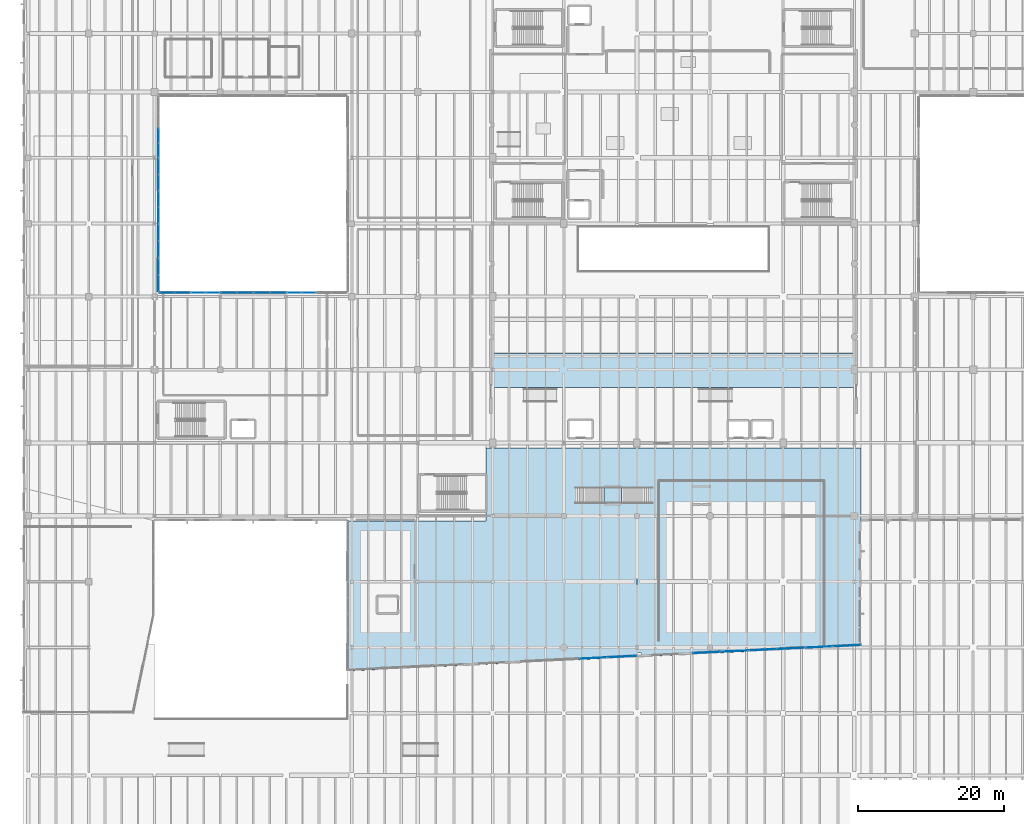
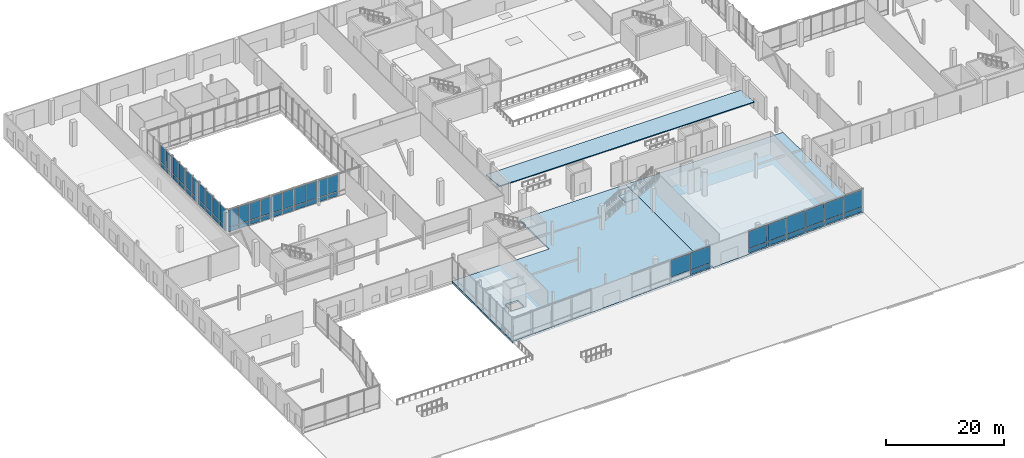
# One storey, part 61 of 88: 55 plates, 4 slabs, 19 elements without a shape of their own.
"""IFC4 building model written with IfcOpenShell, lengths in metres."""

from ifc_helpers import new_model, si_unit, direction, frame, origin, origin_2d, place, context, subcontext, project, spatial, polyline, rectangle, outline, extrude, material, layer, layer_set, type_object, element, aggregate, save


model = new_model("IFC4")

# Units and contexts
model_context = context("Model", 3, precision=1e-05, world=origin(), true_north=direction((0.0, 1.0)))
body_context = subcontext(model_context, "Body", "Model", "MODEL_VIEW")
ifc_project = project(units=[si_unit("LENGTHUNIT", "METRE"), si_unit("AREAUNIT", "SQUARE_METRE"), si_unit("VOLUMEUNIT", "CUBIC_METRE"), si_unit("PLANEANGLEUNIT", "RADIAN"), si_unit("MASSUNIT", "GRAM", prefix="KILO")], contexts=[model_context])

# Site, building, storey
site_placement = place(None, origin())
site = spatial("IfcSite", under=ifc_project, at=site_placement, CompositionType="ELEMENT")
building_placement = place(site_placement, origin())
building = spatial("IfcBuilding", under=site, at=building_placement, Name="Trimount Lyric Opera House", CompositionType="ELEMENT")
storey_placement = place(building_placement, origin())
storey = spatial("IfcBuildingStorey", under=building, at=storey_placement, Name="L00", CompositionType="ELEMENT", Elevation=0.0)

# Curtain wall, plate
ifc_material_1 = material(Name="Thermally Broken Aluminium and Low-E Glass", Category="aluminium")
curtain_wall_type_1 = type_object("IfcCurtainWallType", Name="CW-01", PredefinedType="NOTDEFINED", material=ifc_material_1)
curtain_wall_1_placement = place(storey_placement, origin())
curtain_wall_1 = element("IfcCurtainWall", 1, at=curtain_wall_1_placement, inside=storey, type_object=curtain_wall_type_1, Name="L00 curtain wall 014", PredefinedType="NOTDEFINED")
ifc_material_2 = material(Name="Triple Low-E Acoustic Laminated Glass", Category="glass")
ifc_layer_1 = layer(ifc_material_2, 0.035888671875)
ifc_layer_set_1 = layer_set([ifc_layer_1], Name="CWP-01")
plate_type_1 = type_object("IfcPlateType", Name="CWP-01", PredefinedType="CURTAIN_PANEL", material=ifc_layer_set_1)
plate_1_placement = place(storey_placement, frame((112.755615234375, 26.24658203125, 0.114990234375), z_axis=(0.0, 0.0, 1.0), x_axis=(-0.998813278351, -0.04870354186, 0.0)))
plate_1 = element("IfcPlate", 2, at=plate_1_placement, type_object=plate_type_1, Name="CW-01 panel 1.1", PredefinedType="CURTAIN_PANEL", context=body_context, shape_type="SweptSolid", body=[
    extrude(rectangle(XDim=3.719482421875, YDim=0.035888671875, at=origin_2d()), origin(), (0.0, 0.0, 1.0), 0.87744140625),
])

curtain_wall_2_placement = place(storey_placement, origin())
curtain_wall_2 = element("IfcCurtainWall", 3, at=curtain_wall_2_placement, inside=storey, type_object=curtain_wall_type_1, Name="L00 curtain wall 015", PredefinedType="NOTDEFINED")
plate_2_placement = place(storey_placement, frame((108.87548828125, 26.056884765625, 0.159912109375), z_axis=(0.0, 0.0, 1.0), x_axis=(-0.99882119848, -0.048540843291, 0.0)))
plate_2 = element("IfcPlate", 4, at=plate_2_placement, type_object=plate_type_1, Name="CW-01 panel 1.1", PredefinedType="CURTAIN_PANEL", context=body_context, shape_type="SweptSolid", body=[
    extrude(rectangle(XDim=3.609375, YDim=0.035888671875, at=origin_2d()), origin(), (0.0, 0.0, 1.0), 0.81005859375),
])

curtain_wall_3_placement = place(storey_placement, origin())
curtain_wall_3 = element("IfcCurtainWall", 5, at=curtain_wall_3_placement, inside=storey, type_object=curtain_wall_type_1, Name="L00 curtain wall 016", PredefinedType="NOTDEFINED")
plate_3_placement = place(storey_placement, frame((105.04052734375, 25.869384765625, 0.13525390625), z_axis=(0.0, 0.0, 1.0), x_axis=(-0.998808232241, -0.048806917619, 0.0)))
plate_3 = element("IfcPlate", 6, at=plate_3_placement, type_object=plate_type_1, Name="CW-01 panel 1.1", PredefinedType="CURTAIN_PANEL", context=body_context, shape_type="SweptSolid", body=[
    extrude(rectangle(XDim=3.619384765625, YDim=0.035888671875, at=origin_2d()), origin(), (0.0, 0.0, 1.0), 0.847412109375),
])

curtain_wall_4_placement = place(storey_placement, origin())
curtain_wall_4 = element("IfcCurtainWall", 7, at=curtain_wall_4_placement, inside=storey, type_object=curtain_wall_type_1, Name="L00 curtain wall 017", PredefinedType="NOTDEFINED")
plate_4_placement = place(storey_placement, frame((101.20556640625, 25.6826171875, 0.114990234375), z_axis=(0.0, 0.0, 1.0), x_axis=(-0.998808232241, -0.048806917619, 0.0)))
plate_4 = element("IfcPlate", 8, at=plate_4_placement, type_object=plate_type_1, Name="CW-01 panel 1.1", PredefinedType="CURTAIN_PANEL", context=body_context, shape_type="SweptSolid", body=[
    extrude(rectangle(XDim=3.62939453125, YDim=0.035888671875, at=origin_2d()), origin(), (0.0, 0.0, 1.0), 0.87744140625),
])

curtain_wall_5_placement = place(storey_placement, origin())
curtain_wall_5 = element("IfcCurtainWall", 9, at=curtain_wall_5_placement, inside=storey, type_object=curtain_wall_type_1, Name="L00 curtain wall 018", PredefinedType="NOTDEFINED")
plate_5_placement = place(storey_placement, frame((97.37060546875, 25.49560546875, 0.159912109375), z_axis=(0.0, 0.0, 1.0), x_axis=(-0.998808232241, -0.048806917619, 0.0)))
plate_5 = element("IfcPlate", 10, at=plate_5_placement, type_object=plate_type_1, Name="CW-01 panel 1.1", PredefinedType="CURTAIN_PANEL", context=body_context, shape_type="SweptSolid", body=[
    extrude(rectangle(XDim=3.609375, YDim=0.035888671875, at=origin_2d()), origin(), (0.0, 0.0, 1.0), 0.81005859375),
])

curtain_wall_6_placement = place(storey_placement, origin())
curtain_wall_6 = element("IfcCurtainWall", 11, at=curtain_wall_6_placement, inside=storey, type_object=curtain_wall_type_1, Name="L00 curtain wall 019", PredefinedType="NOTDEFINED")
plate_6_placement = place(storey_placement, frame((93.535400390625, 25.30859375, 0.13525390625), z_axis=(0.0, 0.0, 1.0), x_axis=(-0.998808232241, -0.048806917619, 0.0)))
plate_6 = element("IfcPlate", 12, at=plate_6_placement, type_object=plate_type_1, Name="CW-01 panel 1.1", PredefinedType="CURTAIN_PANEL", context=body_context, shape_type="SweptSolid", body=[
    extrude(rectangle(XDim=3.619384765625, YDim=0.035888671875, at=origin_2d()), origin(), (0.0, 0.0, 1.0), 0.847412109375),
])

curtain_wall_7_placement = place(storey_placement, origin())
curtain_wall_7 = element("IfcCurtainWall", 13, at=curtain_wall_7_placement, inside=storey, type_object=curtain_wall_type_1, Name="L00 curtain wall 020", PredefinedType="NOTDEFINED")
plate_7_placement = place(storey_placement, frame((82.009033203125, 24.74609375, 0.114990234375), z_axis=(0.0, 0.0, 1.0), x_axis=(-0.998806967144, -0.048832800304, 0.0)))
plate_7 = element("IfcPlate", 14, at=plate_7_placement, type_object=plate_type_1, Name="CW-01 panel 1.1", PredefinedType="CURTAIN_PANEL", context=body_context, shape_type="SweptSolid", body=[
    extrude(rectangle(XDim=3.852783203125, YDim=0.035888671875, at=origin_2d()), origin(), (0.0, 0.0, 1.0), 0.87744140625),
])

# Curtain wall, plates
ifc_material_3 = material(Name="Thermally Broken Aluminium and Low-E Glass", Category="aluminium")
curtain_wall_type_2 = type_object("IfcCurtainWallType", Name="CW-03", PredefinedType="NOTDEFINED", material=ifc_material_3)
curtain_wall_8_placement = place(storey_placement, origin())
curtain_wall_8 = element("IfcCurtainWall", 15, at=curtain_wall_8_placement, inside=storey, type_object=curtain_wall_type_2, Name="L00 curtain wall 072", PredefinedType="NOTDEFINED")
plate_8_placement = place(storey_placement, frame((18.5400390625, 96.034912109375, 0.159912109375), z_axis=(0.0, 0.0, 1.0), x_axis=(0.0, -1.0, 0.0)))
plate_8 = element("IfcPlate", 16, at=plate_8_placement, type_object=plate_type_1, Name="CW-03 panel 1.1", PredefinedType="CURTAIN_PANEL", context=body_context, shape_type="SweptSolid", body=[
    extrude(rectangle(XDim=1.929931640625, YDim=0.035888671875, at=origin_2d()), origin(), (0.0, 0.0, 1.0), 0.81005859375),
])
plate_9_placement = place(storey_placement, frame((18.5400390625, 94.034912109375, 0.159912109375), z_axis=(0.0, 0.0, 1.0), x_axis=(0.0, -1.0, 0.0)))
plate_9 = element("IfcPlate", 17, at=plate_9_placement, type_object=plate_type_1, Name="CW-03 panel 2.1", PredefinedType="CURTAIN_PANEL", context=body_context, shape_type="SweptSolid", body=[
    extrude(rectangle(XDim=1.929931640625, YDim=0.035888671875, at=origin_2d()), origin(), (0.0, 0.0, 1.0), 0.81005859375),
])

curtain_wall_9_placement = place(storey_placement, origin())
curtain_wall_9 = element("IfcCurtainWall", 18, at=curtain_wall_9_placement, inside=storey, type_object=curtain_wall_type_2, Name="L00 curtain wall 073", PredefinedType="NOTDEFINED")
plate_10_placement = place(storey_placement, frame((18.5400390625, 91.791259765625, 0.13525390625), z_axis=(0.0, 0.0, 1.0), x_axis=(0.0, -1.0, 0.0)))
plate_10 = element("IfcPlate", 19, at=plate_10_placement, type_object=plate_type_1, Name="CW-03 panel 1.1", PredefinedType="CURTAIN_PANEL", context=body_context, shape_type="SweptSolid", body=[
    extrude(rectangle(XDim=2.107421875, YDim=0.035888671875, at=origin_2d()), origin(), (0.0, 0.0, 1.0), 0.847412109375),
])
plate_11_placement = place(storey_placement, frame((18.5400390625, 89.61865234375, 0.13525390625), z_axis=(0.0, 0.0, 1.0), x_axis=(0.0, -1.0, 0.0)))
plate_11 = element("IfcPlate", 20, at=plate_11_placement, type_object=plate_type_1, Name="CW-03 panel 2.1", PredefinedType="CURTAIN_PANEL", context=body_context, shape_type="SweptSolid", body=[
    extrude(rectangle(XDim=2.107421875, YDim=0.035888671875, at=origin_2d()), origin(), (0.0, 0.0, 1.0), 0.847412109375),
])

curtain_wall_10_placement = place(storey_placement, origin())
curtain_wall_10 = element("IfcCurtainWall", 21, at=curtain_wall_10_placement, inside=storey, type_object=curtain_wall_type_2, Name="L00 curtain wall 074", PredefinedType="NOTDEFINED")
plate_12_placement = place(storey_placement, frame((18.5400390625, 87.29248046875, 0.114990234375), z_axis=(0.0, 0.0, 1.0), x_axis=(0.0, -1.0, 0.0)))
plate_12 = element("IfcPlate", 22, at=plate_12_placement, type_object=plate_type_1, Name="CW-03 panel 1.1", PredefinedType="CURTAIN_PANEL", context=body_context, shape_type="SweptSolid", body=[
    extrude(rectangle(XDim=2.114990234375, YDim=0.035888671875, at=origin_2d()), origin(), (0.0, 0.0, 1.0), 0.87744140625),
])
plate_13_placement = place(storey_placement, frame((18.5400390625, 85.117431640625, 0.114990234375), z_axis=(0.0, 0.0, 1.0), x_axis=(0.0, -1.0, 0.0)))
plate_13 = element("IfcPlate", 23, at=plate_13_placement, type_object=plate_type_1, Name="CW-03 panel 2.1", PredefinedType="CURTAIN_PANEL", context=body_context, shape_type="SweptSolid", body=[
    extrude(rectangle(XDim=2.114990234375, YDim=0.035888671875, at=origin_2d()), origin(), (0.0, 0.0, 1.0), 0.87744140625),
])

curtain_wall_11_placement = place(storey_placement, origin())
curtain_wall_11 = element("IfcCurtainWall", 24, at=curtain_wall_11_placement, inside=storey, type_object=curtain_wall_type_2, Name="L00 curtain wall 075", PredefinedType="NOTDEFINED")
plate_14_placement = place(storey_placement, frame((18.5400390625, 82.75, 0.159912109375), z_axis=(0.0, 0.0, 1.0), x_axis=(0.0, -1.0, 0.0)))
plate_14 = element("IfcPlate", 25, at=plate_14_placement, type_object=plate_type_1, Name="CW-03 panel 1.1", PredefinedType="CURTAIN_PANEL", context=body_context, shape_type="SweptSolid", body=[
    extrude(rectangle(XDim=2.179931640625, YDim=0.035888671875, at=origin_2d()), origin(), (0.0, 0.0, 1.0), 0.81005859375),
])
plate_15_placement = place(storey_placement, frame((18.5400390625, 80.5, 0.159912109375), z_axis=(0.0, 0.0, 1.0), x_axis=(0.0, -1.0, 0.0)))
plate_15 = element("IfcPlate", 26, at=plate_15_placement, type_object=plate_type_1, Name="CW-03 panel 2.1", PredefinedType="CURTAIN_PANEL", context=body_context, shape_type="SweptSolid", body=[
    extrude(rectangle(XDim=2.179931640625, YDim=0.035888671875, at=origin_2d()), origin(), (0.0, 0.0, 1.0), 0.81005859375),
])

curtain_wall_12_placement = place(storey_placement, origin())
curtain_wall_12 = element("IfcCurtainWall", 27, at=curtain_wall_12_placement, inside=storey, type_object=curtain_wall_type_2, Name="L00 curtain wall 076", PredefinedType="NOTDEFINED")
plate_16_placement = place(storey_placement, frame((18.5400390625, 78.09130859375, 0.13525390625), z_axis=(0.0, 0.0, 1.0), x_axis=(0.0, -1.0, 0.0)))
plate_16 = element("IfcPlate", 28, at=plate_16_placement, type_object=plate_type_1, Name="CW-03 panel 1.1", PredefinedType="CURTAIN_PANEL", context=body_context, shape_type="SweptSolid", body=[
    extrude(rectangle(XDim=2.1875, YDim=0.035888671875, at=origin_2d()), origin(), (0.0, 0.0, 1.0), 0.847412109375),
])
plate_17_placement = place(storey_placement, frame((18.5400390625, 75.8388671875, 0.13525390625), z_axis=(0.0, 0.0, 1.0), x_axis=(0.0, -1.0, 0.0)))
plate_17 = element("IfcPlate", 29, at=plate_17_placement, type_object=plate_type_1, Name="CW-03 panel 2.1", PredefinedType="CURTAIN_PANEL", context=body_context, shape_type="SweptSolid", body=[
    extrude(rectangle(XDim=2.1875, YDim=0.035888671875, at=origin_2d()), origin(), (0.0, 0.0, 1.0), 0.847412109375),
])

curtain_wall_13_placement = place(storey_placement, origin())
curtain_wall_13 = element("IfcCurtainWall", 30, at=curtain_wall_13_placement, inside=storey, type_object=curtain_wall_type_2, Name="L00 curtain wall 077", PredefinedType="NOTDEFINED")
plate_18_placement = place(storey_placement, frame((19.735107421875, 74.5400390625, 0.114990234375), z_axis=(0.0, 0.0, 1.0), x_axis=(1.0, 0.0, 0.0)))
plate_18 = element("IfcPlate", 31, at=plate_18_placement, type_object=plate_type_1, Name="CW-03 panel 1.1", PredefinedType="CURTAIN_PANEL", context=body_context, shape_type="SweptSolid", body=[
    extrude(rectangle(XDim=1.989990234375, YDim=0.035888671875, at=origin_2d()), origin(), (0.0, 0.0, 1.0), 0.87744140625),
])
plate_19_placement = place(storey_placement, frame((21.784912109375, 74.5400390625, 0.114990234375), z_axis=(0.0, 0.0, 1.0), x_axis=(1.0, 0.0, 0.0)))
plate_19 = element("IfcPlate", 32, at=plate_19_placement, type_object=plate_type_1, Name="CW-03 panel 2.1", PredefinedType="CURTAIN_PANEL", context=body_context, shape_type="SweptSolid", body=[
    extrude(rectangle(XDim=1.989990234375, YDim=0.035888671875, at=origin_2d()), origin(), (0.0, 0.0, 1.0), 0.87744140625),
])

curtain_wall_14_placement = place(storey_placement, origin())
curtain_wall_14 = element("IfcCurtainWall", 33, at=curtain_wall_14_placement, inside=storey, type_object=curtain_wall_type_2, Name="L00 curtain wall 078", PredefinedType="NOTDEFINED")
plate_20_placement = place(storey_placement, frame((23.965087890625, 74.5400390625, 0.159912109375), z_axis=(0.0, 0.0, 1.0), x_axis=(1.0, 0.0, 0.0)))
plate_20 = element("IfcPlate", 34, at=plate_20_placement, type_object=plate_type_1, Name="CW-03 panel 1.1", PredefinedType="CURTAIN_PANEL", context=body_context, shape_type="SweptSolid", body=[
    extrude(rectangle(XDim=1.929931640625, YDim=0.035888671875, at=origin_2d()), origin(), (0.0, 0.0, 1.0), 0.81005859375),
])
plate_21_placement = place(storey_placement, frame((25.965087890625, 74.5400390625, 0.159912109375), z_axis=(0.0, 0.0, 1.0), x_axis=(1.0, 0.0, 0.0)))
plate_21 = element("IfcPlate", 35, at=plate_21_placement, type_object=plate_type_1, Name="CW-03 panel 2.1", PredefinedType="CURTAIN_PANEL", context=body_context, shape_type="SweptSolid", body=[
    extrude(rectangle(XDim=1.929931640625, YDim=0.035888671875, at=origin_2d()), origin(), (0.0, 0.0, 1.0), 0.81005859375),
])

curtain_wall_15_placement = place(storey_placement, origin())
curtain_wall_15 = element("IfcCurtainWall", 36, at=curtain_wall_15_placement, inside=storey, type_object=curtain_wall_type_2, Name="L00 curtain wall 079", PredefinedType="NOTDEFINED")
plate_22_placement = place(storey_placement, frame((28.208740234375, 74.5400390625, 0.13525390625), z_axis=(0.0, 0.0, 1.0), x_axis=(1.0, 0.0, 0.0)))
plate_22 = element("IfcPlate", 37, at=plate_22_placement, type_object=plate_type_1, Name="CW-03 panel 1.1", PredefinedType="CURTAIN_PANEL", context=body_context, shape_type="SweptSolid", body=[
    extrude(rectangle(XDim=2.107421875, YDim=0.035888671875, at=origin_2d()), origin(), (0.0, 0.0, 1.0), 0.847412109375),
])
plate_23_placement = place(storey_placement, frame((30.38134765625, 74.5400390625, 0.13525390625), z_axis=(0.0, 0.0, 1.0), x_axis=(1.0, 0.0, 0.0)))
plate_23 = element("IfcPlate", 38, at=plate_23_placement, type_object=plate_type_1, Name="CW-03 panel 2.1", PredefinedType="CURTAIN_PANEL", context=body_context, shape_type="SweptSolid", body=[
    extrude(rectangle(XDim=2.107421875, YDim=0.035888671875, at=origin_2d()), origin(), (0.0, 0.0, 1.0), 0.847412109375),
])

curtain_wall_16_placement = place(storey_placement, origin())
curtain_wall_16 = element("IfcCurtainWall", 39, at=curtain_wall_16_placement, inside=storey, type_object=curtain_wall_type_2, Name="L00 curtain wall 080", PredefinedType="NOTDEFINED")
plate_24_placement = place(storey_placement, frame((32.70751953125, 74.5400390625, 0.114990234375), z_axis=(0.0, 0.0, 1.0), x_axis=(1.0, 0.0, 0.0)))
plate_24 = element("IfcPlate", 40, at=plate_24_placement, type_object=plate_type_1, Name="CW-03 panel 1.1", PredefinedType="CURTAIN_PANEL", context=body_context, shape_type="SweptSolid", body=[
    extrude(rectangle(XDim=2.114990234375, YDim=0.035888671875, at=origin_2d()), origin(), (0.0, 0.0, 1.0), 0.87744140625),
])
plate_25_placement = place(storey_placement, frame((34.882568359375, 74.5400390625, 0.114990234375), z_axis=(0.0, 0.0, 1.0), x_axis=(1.0, 0.0, 0.0)))
plate_25 = element("IfcPlate", 41, at=plate_25_placement, type_object=plate_type_1, Name="CW-03 panel 2.1", PredefinedType="CURTAIN_PANEL", context=body_context, shape_type="SweptSolid", body=[
    extrude(rectangle(XDim=2.114990234375, YDim=0.035888671875, at=origin_2d()), origin(), (0.0, 0.0, 1.0), 0.87744140625),
])

curtain_wall_17_placement = place(storey_placement, origin())
curtain_wall_17 = element("IfcCurtainWall", 42, at=curtain_wall_17_placement, inside=storey, type_object=curtain_wall_type_2, Name="L00 curtain wall 081", PredefinedType="NOTDEFINED")
plate_26_placement = place(storey_placement, frame((37.125, 74.5400390625, 0.159912109375), z_axis=(0.0, 0.0, 1.0), x_axis=(1.0, 0.0, 0.0)))
plate_26 = element("IfcPlate", 43, at=plate_26_placement, type_object=plate_type_1, Name="CW-03 panel 1.1", PredefinedType="CURTAIN_PANEL", context=body_context, shape_type="SweptSolid", body=[
    extrude(rectangle(XDim=1.929931640625, YDim=0.035888671875, at=origin_2d()), origin(), (0.0, 0.0, 1.0), 0.81005859375),
])
plate_27_placement = place(storey_placement, frame((39.125, 74.5400390625, 0.159912109375), z_axis=(0.0, 0.0, 1.0), x_axis=(1.0, 0.0, 0.0)))
plate_27 = element("IfcPlate", 44, at=plate_27_placement, type_object=plate_type_1, Name="CW-03 panel 2.1", PredefinedType="CURTAIN_PANEL", context=body_context, shape_type="SweptSolid", body=[
    extrude(rectangle(XDim=1.929931640625, YDim=0.035888671875, at=origin_2d()), origin(), (0.0, 0.0, 1.0), 0.81005859375),
])

# Plate
ifc_material_4 = material(Name="Insulated Aluminium Shadow-Box Spandrel Panel", Category="aluminium")
ifc_layer_2 = layer(ifc_material_4, 0.0419921875)
ifc_layer_set_2 = layer_set([ifc_layer_2], Name="CWP-04")
plate_type_2 = type_object("IfcPlateType", Name="CWP-04", PredefinedType="CURTAIN_PANEL", material=ifc_layer_set_2)
plate_28_placement = place(storey_placement, frame((112.755615234375, 26.24658203125, 1.107421875), z_axis=(0.0, 0.0, 1.0), x_axis=(-0.998813278351, -0.04870354186, 0.0)))
plate_28 = element("IfcPlate", 45, at=plate_28_placement, type_object=plate_type_2, Name="CW-01 panel 1.2", PredefinedType="CURTAIN_PANEL", context=body_context, shape_type="SweptSolid", body=[
    extrude(rectangle(XDim=3.719482421875, YDim=0.035888671875, at=origin_2d()), origin(), (0.0, 0.0, 1.0), 3.4775390625),
])

aggregate(curtain_wall_1, [plate_1, plate_28])

plate_29_placement = place(storey_placement, frame((108.87548828125, 26.056884765625, 1.1298828125), z_axis=(0.0, 0.0, 1.0), x_axis=(-0.99882119848, -0.048540843291, 0.0)))
plate_29 = element("IfcPlate", 46, at=plate_29_placement, type_object=plate_type_2, Name="CW-01 panel 1.2", PredefinedType="CURTAIN_PANEL", context=body_context, shape_type="SweptSolid", body=[
    extrude(rectangle(XDim=3.609375, YDim=0.035888671875, at=origin_2d()), origin(), (0.0, 0.0, 1.0), 3.409912109375),
])

aggregate(curtain_wall_2, [plate_2, plate_29])

plate_30_placement = place(storey_placement, frame((105.04052734375, 25.869384765625, 1.11767578125), z_axis=(0.0, 0.0, 1.0), x_axis=(-0.998808232241, -0.048806917619, 0.0)))
plate_30 = element("IfcPlate", 47, at=plate_30_placement, type_object=plate_type_2, Name="CW-01 panel 1.2", PredefinedType="CURTAIN_PANEL", context=body_context, shape_type="SweptSolid", body=[
    extrude(rectangle(XDim=3.619384765625, YDim=0.035888671875, at=origin_2d()), origin(), (0.0, 0.0, 1.0), 3.447509765625),
])

aggregate(curtain_wall_3, [plate_3, plate_30])

plate_31_placement = place(storey_placement, frame((101.20556640625, 25.6826171875, 1.107421875), z_axis=(0.0, 0.0, 1.0), x_axis=(-0.998808232241, -0.048806917619, 0.0)))
plate_31 = element("IfcPlate", 48, at=plate_31_placement, type_object=plate_type_2, Name="CW-01 panel 1.2", PredefinedType="CURTAIN_PANEL", context=body_context, shape_type="SweptSolid", body=[
    extrude(rectangle(XDim=3.62939453125, YDim=0.035888671875, at=origin_2d()), origin(), (0.0, 0.0, 1.0), 3.4775390625),
])

aggregate(curtain_wall_4, [plate_4, plate_31])

plate_32_placement = place(storey_placement, frame((97.37060546875, 25.49560546875, 1.1298828125), z_axis=(0.0, 0.0, 1.0), x_axis=(-0.998808232241, -0.048806917619, 0.0)))
plate_32 = element("IfcPlate", 49, at=plate_32_placement, type_object=plate_type_2, Name="CW-01 panel 1.2", PredefinedType="CURTAIN_PANEL", context=body_context, shape_type="SweptSolid", body=[
    extrude(rectangle(XDim=3.609375, YDim=0.035888671875, at=origin_2d()), origin(), (0.0, 0.0, 1.0), 3.409912109375),
])

aggregate(curtain_wall_5, [plate_5, plate_32])

plate_33_placement = place(storey_placement, frame((93.535400390625, 25.30859375, 1.11767578125), z_axis=(0.0, 0.0, 1.0), x_axis=(-0.998808232241, -0.048806917619, 0.0)))
plate_33 = element("IfcPlate", 50, at=plate_33_placement, type_object=plate_type_2, Name="CW-01 panel 1.2", PredefinedType="CURTAIN_PANEL", context=body_context, shape_type="SweptSolid", body=[
    extrude(rectangle(XDim=3.619384765625, YDim=0.035888671875, at=origin_2d()), origin(), (0.0, 0.0, 1.0), 3.447509765625),
])

aggregate(curtain_wall_6, [plate_6, plate_33])

plate_34_placement = place(storey_placement, frame((82.009033203125, 24.74609375, 1.107421875), z_axis=(0.0, 0.0, 1.0), x_axis=(-0.998806967144, -0.048832800304, 0.0)))
plate_34 = element("IfcPlate", 51, at=plate_34_placement, type_object=plate_type_2, Name="CW-01 panel 1.2", PredefinedType="CURTAIN_PANEL", context=body_context, shape_type="SweptSolid", body=[
    extrude(rectangle(XDim=3.852783203125, YDim=0.035888671875, at=origin_2d()), origin(), (0.0, 0.0, 1.0), 3.4775390625),
])

aggregate(curtain_wall_7, [plate_7, plate_34])

# Curtain wall, plate
curtain_wall_18_placement = place(storey_placement, origin())
curtain_wall_18 = element("IfcCurtainWall", 52, at=curtain_wall_18_placement, inside=storey, type_object=curtain_wall_type_1, Name="L00 curtain wall 021", PredefinedType="NOTDEFINED")
plate_35_placement = place(storey_placement, frame((77.99609375, 24.550537109375, 1.1298828125), z_axis=(0.0, 0.0, 1.0), x_axis=(-0.998814490119, -0.048678684537, 0.0)))
plate_35 = element("IfcPlate", 53, at=plate_35_placement, type_object=plate_type_2, Name="CW-01 panel 1.2", PredefinedType="CURTAIN_PANEL", context=body_context, shape_type="SweptSolid", body=[
    extrude(rectangle(XDim=3.74267578125, YDim=0.035888671875, at=origin_2d()), origin(), (0.0, 0.0, 1.0), 3.409912109375),
])
aggregate(curtain_wall_18, [plate_35])

# Plate
plate_36_placement = place(storey_placement, frame((18.5400390625, 96.034912109375, 1.1298828125), z_axis=(0.0, 0.0, 1.0), x_axis=(0.0, -1.0, 0.0)))
plate_36 = element("IfcPlate", 54, at=plate_36_placement, type_object=plate_type_2, Name="CW-03 panel 1.2", PredefinedType="CURTAIN_PANEL", context=body_context, shape_type="SweptSolid", body=[
    extrude(rectangle(XDim=1.929931640625, YDim=0.035888671875, at=origin_2d()), origin(), (0.0, 0.0, 1.0), 3.429931640625),
])

plate_37_placement = place(storey_placement, frame((18.5400390625, 94.034912109375, 1.1298828125), z_axis=(0.0, 0.0, 1.0), x_axis=(0.0, -1.0, 0.0)))
plate_37 = element("IfcPlate", 55, at=plate_37_placement, type_object=plate_type_2, Name="CW-03 panel 2.2", PredefinedType="CURTAIN_PANEL", context=body_context, shape_type="SweptSolid", body=[
    extrude(rectangle(XDim=1.929931640625, YDim=0.035888671875, at=origin_2d()), origin(), (0.0, 0.0, 1.0), 3.429931640625),
])

aggregate(curtain_wall_8, [plate_8, plate_36, plate_9, plate_37])

plate_38_placement = place(storey_placement, frame((18.5400390625, 91.791259765625, 1.11767578125), z_axis=(0.0, 0.0, 1.0), x_axis=(0.0, -1.0, 0.0)))
plate_38 = element("IfcPlate", 56, at=plate_38_placement, type_object=plate_type_2, Name="CW-03 panel 1.2", PredefinedType="CURTAIN_PANEL", context=body_context, shape_type="SweptSolid", body=[
    extrude(rectangle(XDim=2.107421875, YDim=0.035888671875, at=origin_2d()), origin(), (0.0, 0.0, 1.0), 3.467529296875),
])

plate_39_placement = place(storey_placement, frame((18.5400390625, 89.61865234375, 1.11767578125), z_axis=(0.0, 0.0, 1.0), x_axis=(0.0, -1.0, 0.0)))
plate_39 = element("IfcPlate", 57, at=plate_39_placement, type_object=plate_type_2, Name="CW-03 panel 2.2", PredefinedType="CURTAIN_PANEL", context=body_context, shape_type="SweptSolid", body=[
    extrude(rectangle(XDim=2.107421875, YDim=0.035888671875, at=origin_2d()), origin(), (0.0, 0.0, 1.0), 3.467529296875),
])

aggregate(curtain_wall_9, [plate_10, plate_38, plate_11, plate_39])

plate_40_placement = place(storey_placement, frame((18.5400390625, 87.29248046875, 1.107421875), z_axis=(0.0, 0.0, 1.0), x_axis=(0.0, -1.0, 0.0)))
plate_40 = element("IfcPlate", 58, at=plate_40_placement, type_object=plate_type_2, Name="CW-03 panel 1.2", PredefinedType="CURTAIN_PANEL", context=body_context, shape_type="SweptSolid", body=[
    extrude(rectangle(XDim=2.114990234375, YDim=0.035888671875, at=origin_2d()), origin(), (0.0, 0.0, 1.0), 3.49755859375),
])

plate_41_placement = place(storey_placement, frame((18.5400390625, 85.117431640625, 1.107421875), z_axis=(0.0, 0.0, 1.0), x_axis=(0.0, -1.0, 0.0)))
plate_41 = element("IfcPlate", 59, at=plate_41_placement, type_object=plate_type_2, Name="CW-03 panel 2.2", PredefinedType="CURTAIN_PANEL", context=body_context, shape_type="SweptSolid", body=[
    extrude(rectangle(XDim=2.114990234375, YDim=0.035888671875, at=origin_2d()), origin(), (0.0, 0.0, 1.0), 3.49755859375),
])

aggregate(curtain_wall_10, [plate_12, plate_40, plate_13, plate_41])

plate_42_placement = place(storey_placement, frame((18.5400390625, 82.75, 1.1298828125), z_axis=(0.0, 0.0, 1.0), x_axis=(0.0, -1.0, 0.0)))
plate_42 = element("IfcPlate", 60, at=plate_42_placement, type_object=plate_type_2, Name="CW-03 panel 1.2", PredefinedType="CURTAIN_PANEL", context=body_context, shape_type="SweptSolid", body=[
    extrude(rectangle(XDim=2.179931640625, YDim=0.035888671875, at=origin_2d()), origin(), (0.0, 0.0, 1.0), 3.429931640625),
])

plate_43_placement = place(storey_placement, frame((18.5400390625, 80.5, 1.1298828125), z_axis=(0.0, 0.0, 1.0), x_axis=(0.0, -1.0, 0.0)))
plate_43 = element("IfcPlate", 61, at=plate_43_placement, type_object=plate_type_2, Name="CW-03 panel 2.2", PredefinedType="CURTAIN_PANEL", context=body_context, shape_type="SweptSolid", body=[
    extrude(rectangle(XDim=2.179931640625, YDim=0.035888671875, at=origin_2d()), origin(), (0.0, 0.0, 1.0), 3.429931640625),
])

aggregate(curtain_wall_11, [plate_14, plate_42, plate_15, plate_43])

plate_44_placement = place(storey_placement, frame((18.5400390625, 78.09130859375, 1.11767578125), z_axis=(0.0, 0.0, 1.0), x_axis=(0.0, -1.0, 0.0)))
plate_44 = element("IfcPlate", 62, at=plate_44_placement, type_object=plate_type_2, Name="CW-03 panel 1.2", PredefinedType="CURTAIN_PANEL", context=body_context, shape_type="SweptSolid", body=[
    extrude(rectangle(XDim=2.1875, YDim=0.035888671875, at=origin_2d()), origin(), (0.0, 0.0, 1.0), 3.467529296875),
])

plate_45_placement = place(storey_placement, frame((18.5400390625, 75.8388671875, 1.11767578125), z_axis=(0.0, 0.0, 1.0), x_axis=(0.0, -1.0, 0.0)))
plate_45 = element("IfcPlate", 63, at=plate_45_placement, type_object=plate_type_2, Name="CW-03 panel 2.2", PredefinedType="CURTAIN_PANEL", context=body_context, shape_type="SweptSolid", body=[
    extrude(rectangle(XDim=2.1875, YDim=0.035888671875, at=origin_2d()), origin(), (0.0, 0.0, 1.0), 3.467529296875),
])

aggregate(curtain_wall_12, [plate_16, plate_44, plate_17, plate_45])

plate_46_placement = place(storey_placement, frame((19.735107421875, 74.5400390625, 1.107421875), z_axis=(0.0, 0.0, 1.0), x_axis=(1.0, 0.0, 0.0)))
plate_46 = element("IfcPlate", 64, at=plate_46_placement, type_object=plate_type_2, Name="CW-03 panel 1.2", PredefinedType="CURTAIN_PANEL", context=body_context, shape_type="SweptSolid", body=[
    extrude(rectangle(XDim=1.989990234375, YDim=0.035888671875, at=origin_2d()), origin(), (0.0, 0.0, 1.0), 3.49755859375),
])

plate_47_placement = place(storey_placement, frame((21.784912109375, 74.5400390625, 1.107421875), z_axis=(0.0, 0.0, 1.0), x_axis=(1.0, 0.0, 0.0)))
plate_47 = element("IfcPlate", 65, at=plate_47_placement, type_object=plate_type_2, Name="CW-03 panel 2.2", PredefinedType="CURTAIN_PANEL", context=body_context, shape_type="SweptSolid", body=[
    extrude(rectangle(XDim=1.989990234375, YDim=0.035888671875, at=origin_2d()), origin(), (0.0, 0.0, 1.0), 3.49755859375),
])

aggregate(curtain_wall_13, [plate_18, plate_46, plate_19, plate_47])

plate_48_placement = place(storey_placement, frame((23.965087890625, 74.5400390625, 1.1298828125), z_axis=(0.0, 0.0, 1.0), x_axis=(1.0, 0.0, 0.0)))
plate_48 = element("IfcPlate", 66, at=plate_48_placement, type_object=plate_type_2, Name="CW-03 panel 1.2", PredefinedType="CURTAIN_PANEL", context=body_context, shape_type="SweptSolid", body=[
    extrude(rectangle(XDim=1.929931640625, YDim=0.035888671875, at=origin_2d()), origin(), (0.0, 0.0, 1.0), 3.429931640625),
])

plate_49_placement = place(storey_placement, frame((25.965087890625, 74.5400390625, 1.1298828125), z_axis=(0.0, 0.0, 1.0), x_axis=(1.0, 0.0, 0.0)))
plate_49 = element("IfcPlate", 67, at=plate_49_placement, type_object=plate_type_2, Name="CW-03 panel 2.2", PredefinedType="CURTAIN_PANEL", context=body_context, shape_type="SweptSolid", body=[
    extrude(rectangle(XDim=1.929931640625, YDim=0.035888671875, at=origin_2d()), origin(), (0.0, 0.0, 1.0), 3.429931640625),
])

aggregate(curtain_wall_14, [plate_20, plate_48, plate_21, plate_49])

plate_50_placement = place(storey_placement, frame((28.208740234375, 74.5400390625, 1.11767578125), z_axis=(0.0, 0.0, 1.0), x_axis=(1.0, 0.0, 0.0)))
plate_50 = element("IfcPlate", 68, at=plate_50_placement, type_object=plate_type_2, Name="CW-03 panel 1.2", PredefinedType="CURTAIN_PANEL", context=body_context, shape_type="SweptSolid", body=[
    extrude(rectangle(XDim=2.107421875, YDim=0.035888671875, at=origin_2d()), origin(), (0.0, 0.0, 1.0), 3.467529296875),
])

plate_51_placement = place(storey_placement, frame((30.38134765625, 74.5400390625, 1.11767578125), z_axis=(0.0, 0.0, 1.0), x_axis=(1.0, 0.0, 0.0)))
plate_51 = element("IfcPlate", 69, at=plate_51_placement, type_object=plate_type_2, Name="CW-03 panel 2.2", PredefinedType="CURTAIN_PANEL", context=body_context, shape_type="SweptSolid", body=[
    extrude(rectangle(XDim=2.107421875, YDim=0.035888671875, at=origin_2d()), origin(), (0.0, 0.0, 1.0), 3.467529296875),
])

aggregate(curtain_wall_15, [plate_22, plate_50, plate_23, plate_51])

plate_52_placement = place(storey_placement, frame((32.70751953125, 74.5400390625, 1.107421875), z_axis=(0.0, 0.0, 1.0), x_axis=(1.0, 0.0, 0.0)))
plate_52 = element("IfcPlate", 70, at=plate_52_placement, type_object=plate_type_2, Name="CW-03 panel 1.2", PredefinedType="CURTAIN_PANEL", context=body_context, shape_type="SweptSolid", body=[
    extrude(rectangle(XDim=2.114990234375, YDim=0.035888671875, at=origin_2d()), origin(), (0.0, 0.0, 1.0), 3.49755859375),
])

plate_53_placement = place(storey_placement, frame((34.882568359375, 74.5400390625, 1.107421875), z_axis=(0.0, 0.0, 1.0), x_axis=(1.0, 0.0, 0.0)))
plate_53 = element("IfcPlate", 71, at=plate_53_placement, type_object=plate_type_2, Name="CW-03 panel 2.2", PredefinedType="CURTAIN_PANEL", context=body_context, shape_type="SweptSolid", body=[
    extrude(rectangle(XDim=2.114990234375, YDim=0.035888671875, at=origin_2d()), origin(), (0.0, 0.0, 1.0), 3.49755859375),
])

aggregate(curtain_wall_16, [plate_24, plate_52, plate_25, plate_53])

plate_54_placement = place(storey_placement, frame((37.125, 74.5400390625, 1.1298828125), z_axis=(0.0, 0.0, 1.0), x_axis=(1.0, 0.0, 0.0)))
plate_54 = element("IfcPlate", 72, at=plate_54_placement, type_object=plate_type_2, Name="CW-03 panel 1.2", PredefinedType="CURTAIN_PANEL", context=body_context, shape_type="SweptSolid", body=[
    extrude(rectangle(XDim=1.929931640625, YDim=0.035888671875, at=origin_2d()), origin(), (0.0, 0.0, 1.0), 3.429931640625),
])

plate_55_placement = place(storey_placement, frame((39.125, 74.5400390625, 1.1298828125), z_axis=(0.0, 0.0, 1.0), x_axis=(1.0, 0.0, 0.0)))
plate_55 = element("IfcPlate", 73, at=plate_55_placement, type_object=plate_type_2, Name="CW-03 panel 2.2", PredefinedType="CURTAIN_PANEL", context=body_context, shape_type="SweptSolid", body=[
    extrude(rectangle(XDim=1.929931640625, YDim=0.035888671875, at=origin_2d()), origin(), (0.0, 0.0, 1.0), 3.429931640625),
])

aggregate(curtain_wall_17, [plate_26, plate_54, plate_27, plate_55])

# Slabs
ifc_material_5 = material(Name="Concrete C40/50", Category="concrete")
ifc_layer_3 = layer(ifc_material_5, 0.3798828125)
ifc_layer_set_3 = layer_set([ifc_layer_3], Name="SL-FL380")
slab_type_1 = type_object("IfcSlabType", Name="SL-FL380", PredefinedType="FLOOR", material=ifc_layer_set_3)
slab_1_placement = place(storey_placement, frame((0.0, 0.0, -0.3798828125)))
element("IfcSlab", 74, at=slab_1_placement, inside=storey, type_object=slab_type_1, Name="L00 floor slab L00-CONC-W", PredefinedType="FLOOR", context=body_context, shape_type="SweptSolid", body=[
    extrude(outline(polyline([(84.0, 24.702880859375), (44.320068359375, 22.766845703125), (44.320068359375, 43.320068359375), (63.320068359375, 43.320068359375), (63.320068359375, 53.320068359375), (84.0, 53.320068359375), (84.0, 24.702880859375)]), holes=[polyline([(48.60009765625, 32.89990234375), (48.60009765625, 30.800048828125), (51.199951171875, 30.800048828125), (51.199951171875, 32.89990234375), (48.60009765625, 32.89990234375)])]), origin(), (0.0, 0.0, 1.0), 0.3798828125),
])
slab_2_placement = place(storey_placement, frame((0.0, 0.0, -0.3798828125)))
element("IfcSlab", 75, at=slab_2_placement, inside=storey, type_object=slab_type_1, Name="L00 floor slab L00-CONC-E", PredefinedType="FLOOR", context=body_context, shape_type="SweptSolid", body=[
    extrude(outline(polyline([(84.64990234375, 24.734619140625), (84.64990234375, 25.2529296875), (84.0, 25.2529296875), (84.0, 53.320068359375), (114.679931640625, 53.320068359375), (114.679931640625, 26.199951171875), (84.64990234375, 24.734619140625)])), origin(), (0.0, 0.0, 1.0), 0.3798828125),
])

# Stair, slab
ifc_material_6 = material(Name="Steel ASTM A36", Category="steel")
stair_type = type_object("IfcStairType", Name="STR-FOY-2", PredefinedType="STRAIGHT_RUN_STAIR", material=ifc_material_6)
stair_placement = place(storey_placement, origin())
stair = element("IfcStair", 76, at=stair_placement, inside=storey, type_object=stair_type, Name="Winter-Garden Lower Promenade Stair", PredefinedType="STRAIGHT_RUN_STAIR")
ifc_material_7 = material(Name="Concrete C40/50", Category="concrete")
ifc_layer_4 = layer(ifc_material_7, 0.199951171875)
ifc_layer_set_4 = layer_set([ifc_layer_4], Name="SL-LND200")
slab_type_2 = type_object("IfcSlabType", Name="SL-LND200", PredefinedType="LANDING", material=ifc_layer_set_4)
slab_3_placement = place(storey_placement, frame((0.0, 0.0, 2.300048828125)))
slab_3 = element("IfcSlab", 77, at=slab_3_placement, type_object=slab_type_2, Name="FS-02 landing 1", PredefinedType="LANDING", context=body_context, shape_type="SweptSolid", body=[
    extrude(outline(polyline([(79.52001953125, 45.699951171875), (81.919921875, 45.699951171875), (81.919921875, 47.89990234375), (79.52001953125, 47.89990234375), (79.52001953125, 45.699951171875)])), origin(), (0.0, 0.0, 1.0), 0.199951171875),
])
aggregate(stair, [slab_3])

# Slab
ifc_material_8 = material(Name="Precast concrete C40/50", Category="concrete")
ifc_layer_5 = layer(ifc_material_8, 0.18505859375)
ifc_layer_set_5 = layer_set([ifc_layer_5], Name="SL-TIER185")
slab_type_3 = type_object("IfcSlabType", Name="SL-TIER185", PredefinedType="USERDEFINED", material=ifc_layer_set_5)
slab_4_placement = place(storey_placement, frame((64.14990234375, 66.199951171875, 1.14990234375), z_axis=(0.0, 0.086663841898, 0.99623761147), x_axis=(1.0, 0.0, 0.0)))
element("IfcSlab", 78, at=slab_4_placement, inside=storey, type_object=slab_type_3, Name="Main Opera Auditorium Stalls Front Rake", ObjectType="SEATING_TIER", PredefinedType="USERDEFINED", context=body_context, shape_type="SweptSolid", body=[
    extrude(outline(polyline([(0.0, 0.0), (49.7001953125, 0.0), (49.7001953125, -4.617225311176112), (0.0, -4.617225311176112), (0.0, 0.0)])), origin(), (0.0, 0.0, -1.0), 0.18505859375),
])

save(model, "model.ifc")
